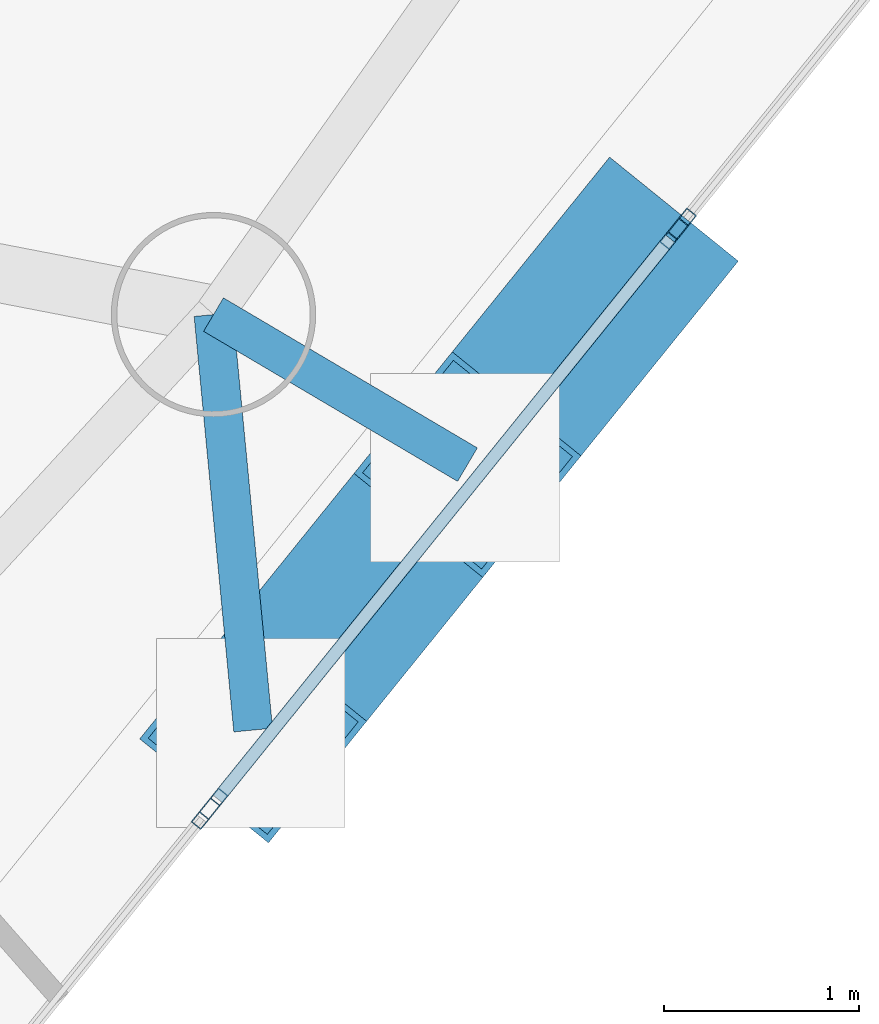
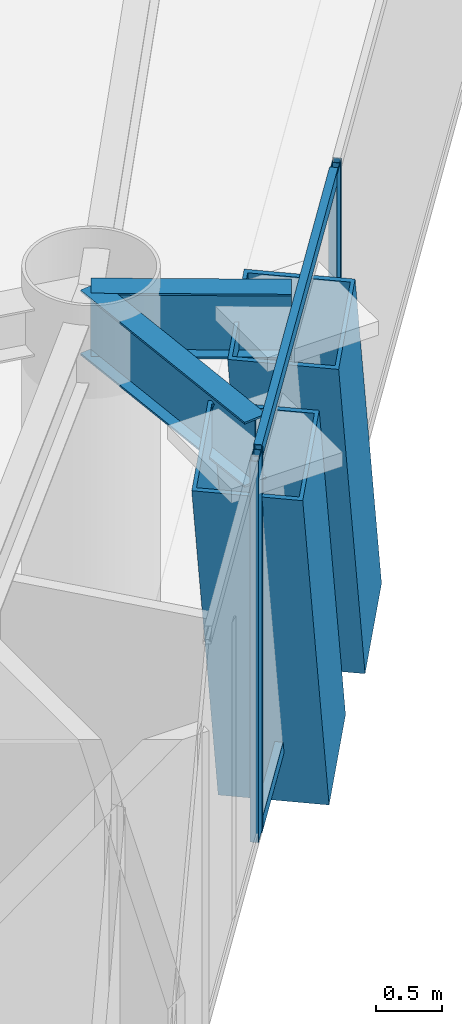
# One storey, part 6 of 19: 8 members, 2 beams, 3 elements without a shape of their own.
"""IFC4 building model written with IfcOpenShell, lengths in metres."""

from ifc_helpers import new_model, si_unit, direction, frame, origin, origin_2d, place, context, subcontext, project, spatial, hollow_rectangle, i_section, extrude, material, layer, layer_set, material_profile, profile_set, type_object, element, aggregate, save


model = new_model("IFC4")

# Units and contexts
model_context = context("Model", 3, precision=1e-05, world=origin(), true_north=direction((0.0, 1.0)))
body_context = subcontext(model_context, "Body", "Model", "MODEL_VIEW")
ifc_project = project(units=[si_unit("LENGTHUNIT", "METRE"), si_unit("AREAUNIT", "SQUARE_METRE"), si_unit("VOLUMEUNIT", "CUBIC_METRE"), si_unit("PLANEANGLEUNIT", "RADIAN"), si_unit("MASSUNIT", "GRAM", prefix="KILO")], contexts=[model_context])

# Site, building, storey
site_placement = place(None, origin())
site = spatial("IfcSite", under=ifc_project, at=site_placement, CompositionType="ELEMENT")
building_placement = place(site_placement, origin())
building = spatial("IfcBuilding", under=site, at=building_placement, Name="Qianvela Tower", CompositionType="ELEMENT")
storey_placement = place(building_placement, frame((0.0, 0.0, 261.199951171875)))
storey = spatial("IfcBuildingStorey", under=building, at=storey_placement, Name="L67", CompositionType="ELEMENT", Elevation=261.199951171875)

# Beams
ifc_material_1 = material(Name="Steel Q355B", Category="steel")
ifc_material_profile_1 = material_profile(ifc_material_1, i_section(OverallWidth=0.199951171875, OverallDepth=0.60009765625, WebThickness=0.010986328125, FlangeThickness=0.01708984375, at=origin_2d()), Name="HN600x200x11x17")
ifc_profile_set_1 = profile_set([ifc_material_profile_1], Name="Steel Q355B")
beam_type = type_object("IfcBeamType", Name="BM-HN600-GIRD", PredefinedType="BEAM", material=ifc_profile_set_1)
beam_1_placement = place(storey_placement, frame((45.43603515625, 20.597900390625, 3.218017578125), z_axis=(0.095072372556, -0.995470363183, 0.0), x_axis=(0.995470363183, 0.095072372556, 0.0)))
element("IfcBeam", 1, at=beam_1_placement, inside=storey, type_object=beam_type, Name="L67 Mega-Brace Column Tie Bracket F3-1", PredefinedType="BEAM", context=body_context, shape_type="SweptSolid", body=[
    extrude(i_section(OverallWidth=0.199951171875, OverallDepth=0.60009765625, WebThickness=0.010986328125, FlangeThickness=0.01708984375, at=origin_2d()), origin(), (0.0, 0.0, 1.0), 2.144287109375),
])
beam_2_placement = place(storey_placement, frame((45.43603515625, 20.597900390625, 3.218017578125), z_axis=(0.860955387446, -0.508680470263, 0.0), x_axis=(0.508680470263, 0.860955387446, 0.0)))
element("IfcBeam", 2, at=beam_2_placement, inside=storey, type_object=beam_type, Name="L67 Mega-Brace Column Tie Bracket F3-2", PredefinedType="BEAM", context=body_context, shape_type="SweptSolid", body=[
    extrude(i_section(OverallWidth=0.199951171875, OverallDepth=0.60009765625, WebThickness=0.010986328125, FlangeThickness=0.01708984375, at=origin_2d()), origin(), (0.0, 0.0, 1.0), 1.515625),
])

# Curtain wall, members
ifc_material_2 = material(Name="Anodised Architectural Aluminium and Insulated Spandrel Panel", Category="aluminium")
ifc_layer_1 = layer(ifc_material_2, 0.179931640625)
ifc_layer_set_1 = layer_set([ifc_layer_1], Name="Anodised Architectural Aluminium and Insulated Spandrel Panel")
curtain_wall_type_1 = type_object("IfcCurtainWallType", Name="CW-BRACEBAY", PredefinedType="USERDEFINED", material=ifc_layer_set_1)
curtain_wall_1_placement = place(storey_placement, origin())
curtain_wall_1 = element("IfcCurtainWall", 3, at=curtain_wall_1_placement, inside=storey, type_object=curtain_wall_type_1, Name="L67 CW-BRACEBAY Curtain Wall 06B", ObjectType="CURTAIN_WALL_SYSTEM", PredefinedType="USERDEFINED")
ifc_material_3 = material(Name="Anodised Architectural Aluminium 6063-T6", Category="aluminium")
ifc_material_profile_2 = material_profile(ifc_material_3, hollow_rectangle(XDim=0.06494140625, YDim=0.159912109375, WallThickness=0.0048828125, at=origin_2d()), Name="ALU-MULL-65x160")
ifc_profile_set_2 = profile_set([ifc_material_profile_2], Name="Anodised Architectural Aluminium 6063-T6")
member_type_1 = type_object("IfcMemberType", Name="CW-BRACEBAY-MULL", PredefinedType="MULLION", material=ifc_profile_set_2)
member_1_placement = place(storey_placement, frame((45.4365234375, 18.08447265625, 0.0), z_axis=(0.0, 0.0, 1.0), x_axis=(-0.77795394253, 0.628321305784, 0.0)))
member_1 = element("IfcMember", 4, at=member_1_placement, type_object=member_type_1, Name="CW-9 mullion 1", PredefinedType="MULLION", context=body_context, shape_type="SweptSolid", body=[
    extrude(hollow_rectangle(XDim=0.06494140625, YDim=0.159912109375, WallThickness=0.0048828125, at=origin_2d()), origin(), (0.0, 0.0, 1.0), 3.52001953125),
])
member_2_placement = place(storey_placement, frame((47.80224609375, 21.013427734375, 0.0), z_axis=(0.0, 0.0, 1.0), x_axis=(-0.77795394253, 0.628321305784, 0.0)))
member_2 = element("IfcMember", 5, at=member_2_placement, type_object=member_type_1, Name="CW-9 mullion 2", PredefinedType="MULLION", context=body_context, shape_type="SweptSolid", body=[
    extrude(hollow_rectangle(XDim=0.06494140625, YDim=0.159912109375, WallThickness=0.0048828125, at=origin_2d()), origin(), (0.0, 0.0, 1.0), 3.52001953125),
])
ifc_material_4 = material(Name="Anodised Architectural Aluminium 6063-T6", Category="aluminium")
ifc_material_profile_3 = material_profile(ifc_material_4, hollow_rectangle(XDim=0.06494140625, YDim=0.1298828125, WallThickness=0.00439453125, at=origin_2d()), Name="ALU-TRAN-65x130")
ifc_profile_set_3 = profile_set([ifc_material_profile_3], Name="Anodised Architectural Aluminium 6063-T6")
member_type_2 = type_object("IfcMemberType", Name="CW-BRACEBAY-TRAN", PredefinedType="USERDEFINED", material=ifc_profile_set_3)
member_3_placement = place(storey_placement, frame((45.45703125, 18.10986328125, 0.032470703125), z_axis=(0.628309460322, 0.777963509472, 0.0), x_axis=(-0.777963509472, 0.628309460322, 0.0)))
member_3 = element("IfcMember", 6, at=member_3_placement, type_object=member_type_2, Name="CW-9 transom 1.1", ObjectType="TRANSOM", PredefinedType="USERDEFINED", context=body_context, shape_type="SweptSolid", body=[
    extrude(hollow_rectangle(XDim=0.06494140625, YDim=0.1298828125, WallThickness=0.00439453125, at=origin_2d()), origin(), (0.0, 0.0, 1.0), 3.699951171875),
])
member_4_placement = place(storey_placement, frame((45.45703125, 18.10986328125, 3.487548828125), z_axis=(0.628309460322, 0.777963509472, 0.0), x_axis=(-0.777963509472, 0.628309460322, 0.0)))
member_4 = element("IfcMember", 7, at=member_4_placement, type_object=member_type_2, Name="CW-9 transom 1.2", ObjectType="TRANSOM", PredefinedType="USERDEFINED", context=body_context, shape_type="SweptSolid", body=[
    extrude(hollow_rectangle(XDim=0.06494140625, YDim=0.1298828125, WallThickness=0.00439453125, at=origin_2d()), origin(), (0.0, 0.0, 1.0), 3.699951171875),
])
aggregate(curtain_wall_1, [member_1, member_2, member_3, member_4])

# Curtain wall, member
ifc_material_5 = material(Name="Anodised Architectural Aluminium and Low-E Glass", Category="aluminium")
ifc_layer_2 = layer(ifc_material_5, 0.159912109375)
ifc_layer_set_2 = layer_set([ifc_layer_2], Name="Anodised Architectural Aluminium and Low-E Glass")
curtain_wall_type_2 = type_object("IfcCurtainWallType", Name="CW-COLIV-Z56", PredefinedType="USERDEFINED", material=ifc_layer_set_2)
curtain_wall_2_placement = place(storey_placement, origin())
curtain_wall_2 = element("IfcCurtainWall", 8, at=curtain_wall_2_placement, inside=storey, type_object=curtain_wall_type_2, Name="L67 CW-COLIV-Z56 Curtain Wall 06A", ObjectType="CURTAIN_WALL_SYSTEM", PredefinedType="USERDEFINED")
ifc_material_6 = material(Name="Anodised Architectural Aluminium 6063-T6", Category="aluminium")
ifc_material_profile_4 = material_profile(ifc_material_6, hollow_rectangle(XDim=0.06494140625, YDim=0.159912109375, WallThickness=0.0048828125, at=origin_2d()), Name="ALU-MULL-65x160")
ifc_profile_set_4 = profile_set([ifc_material_profile_4], Name="Anodised Architectural Aluminium 6063-T6")
member_type_3 = type_object("IfcMemberType", Name="CW-COLIV-Z56-MULL", PredefinedType="MULLION", material=ifc_profile_set_4)
member_5_placement = place(storey_placement, frame((45.395751953125, 18.033935546875, 0.0), z_axis=(0.0, 0.0, 1.0), x_axis=(-0.777945794576, 0.628331394012, 0.0)))
member_5 = element("IfcMember", 9, at=member_5_placement, type_object=member_type_3, Name="CW-5 mullion 3", PredefinedType="MULLION", context=body_context, shape_type="SweptSolid", body=[
    extrude(hollow_rectangle(XDim=0.06494140625, YDim=0.159912109375, WallThickness=0.0048828125, at=origin_2d()), origin(), (0.0, 0.0, 1.0), 3.52001953125),
])
aggregate(curtain_wall_2, [member_5])

curtain_wall_3_placement = place(storey_placement, origin())
curtain_wall_3 = element("IfcCurtainWall", 10, at=curtain_wall_3_placement, inside=storey, type_object=curtain_wall_type_2, Name="L67 CW-COLIV-Z56 Curtain Wall 06C", ObjectType="CURTAIN_WALL_SYSTEM", PredefinedType="USERDEFINED")
member_6_placement = place(storey_placement, frame((47.843017578125, 21.06396484375, 0.0), z_axis=(0.0, 0.0, 1.0), x_axis=(-0.777945730872, 0.628331472885, 0.0)))
member_6 = element("IfcMember", 11, at=member_6_placement, type_object=member_type_3, Name="CW-5 mullion 1", PredefinedType="MULLION", context=body_context, shape_type="SweptSolid", body=[
    extrude(hollow_rectangle(XDim=0.06494140625, YDim=0.159912109375, WallThickness=0.0048828125, at=origin_2d()), origin(), (0.0, 0.0, 1.0), 3.52001953125),
])
aggregate(curtain_wall_3, [member_6])

# Members
ifc_material_7 = material(Name="Steel Q420GJC", Category="steel")
ifc_material_profile_5 = material_profile(ifc_material_7, hollow_rectangle(XDim=0.85009765625, YDim=0.85009765625, WallThickness=0.031982421875, at=origin_2d()), Name="MBOX-850x850x32")
ifc_profile_set_5 = profile_set([ifc_material_profile_5], Name="Steel Q420GJC")
member_type_4 = type_object("IfcMemberType", Name="MBR-MBRACE-850", PredefinedType="BRACE", material=ifc_profile_set_5)
for number, where, z_axis, x_axis, name in (
    (12, (46.447998046875, 19.464111328125, -0.48193359375), (-0.206298842297, -0.255474004404, 0.944549533238), (0.778008975162, -0.628253161207, 0.0), "L67 Tier 11 Exterior Mega-Brace F3A"),
    (13, (47.54931640625, 20.827392578125, -0.48193359375), (-0.206361799907, -0.255412460289, 0.944552424521), (0.777841252497, -0.628460806983, 0.0), "L67 Tier 11 Exterior Mega-Brace F3B"),
):
    element("IfcMember", number, at=place(storey_placement, frame(where, z_axis=z_axis, x_axis=x_axis)), inside=storey, type_object=member_type_4, Name=name, PredefinedType="BRACE", context=body_context, shape_type="SweptSolid", body=[
        extrude(hollow_rectangle(XDim=0.85009765625, YDim=0.85009765625, WallThickness=0.031982421875, at=origin_2d()), origin(), (0.0, 0.0, 1.0), 3.917236328125),
    ])

save(model, "model.ifc")
